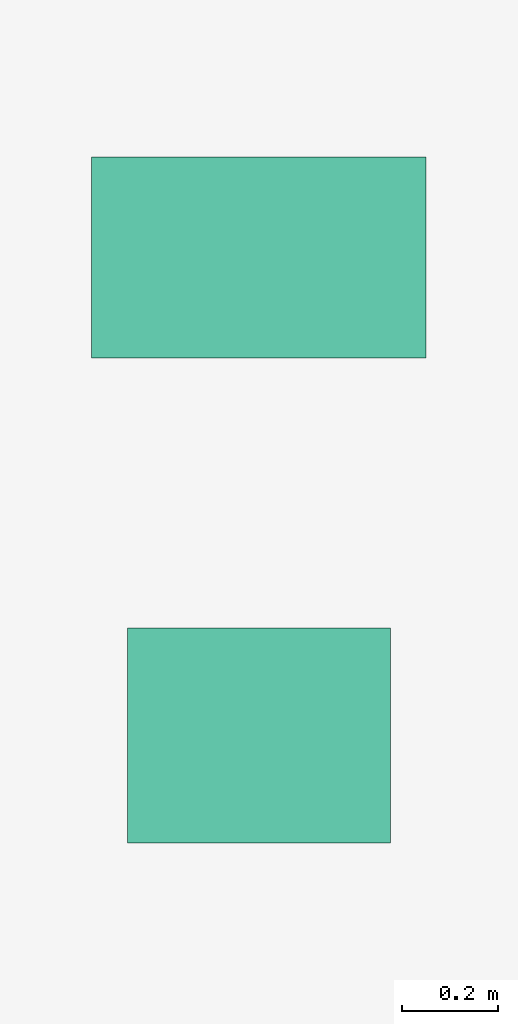
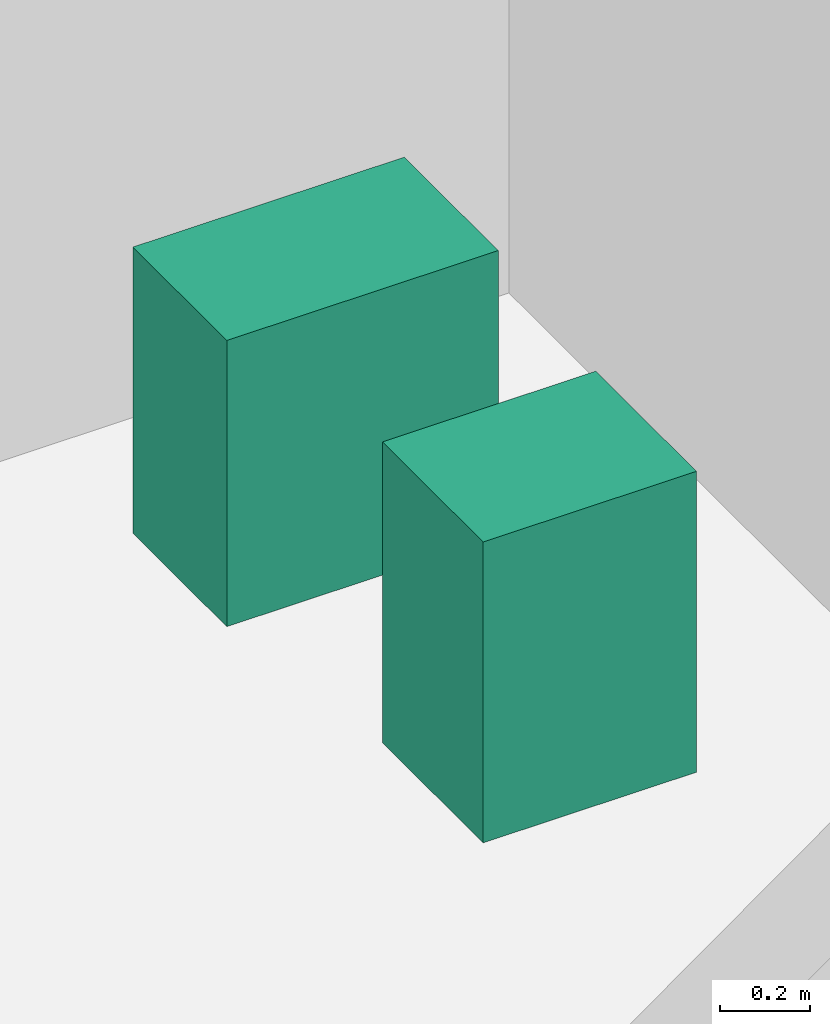
# One storey, part 27 of 27: 2 sanitary terminals.
"""IFC4 building model written with IfcOpenShell, lengths in metres."""

from ifc_helpers import new_model, si_unit, direction, frame, origin, origin_2d, place, context, subcontext, project, spatial, rectangle, extrude, source, transform, mapped, material, type_object, element, save


model = new_model("IFC4")

# Units and contexts
model_context = context("Model", 3, precision=1e-05, world=origin(), true_north=direction((0.0, 1.0)))
body_context = subcontext(model_context, "Body", "Model", "MODEL_VIEW")
ifc_project = project(units=[si_unit("LENGTHUNIT", "METRE"), si_unit("AREAUNIT", "SQUARE_METRE"), si_unit("VOLUMEUNIT", "CUBIC_METRE"), si_unit("PLANEANGLEUNIT", "RADIAN"), si_unit("MASSUNIT", "GRAM", prefix="KILO")], contexts=[model_context])

# Site, building, storey
site_placement = place(None, origin())
site = spatial("IfcSite", under=ifc_project, at=site_placement, CompositionType="ELEMENT")
building_placement = place(site_placement, origin())
building = spatial("IfcBuilding", under=site, at=building_placement, Name="Sumidabori Civic Tower", CompositionType="ELEMENT")
storey_placement = place(building_placement, frame((0.0, 0.0, 160.39990234375)))
storey = spatial("IfcBuildingStorey", under=building, at=storey_placement, Name="L41", CompositionType="ELEMENT", Elevation=160.39990234375)

# Sanitary terminals
ifc_material = material(Name="Vitreous Sanitary Porcelain")
sanitary_terminal_type_1 = type_object("IfcSanitaryTerminalType", Name="SN-WC-1", PredefinedType="TOILETPAN", material=ifc_material)
shared_shape_1 = source(origin(), body_context, "Body", "SweptSolid", [
    extrude(rectangle(XDim=0.699951171875, YDim=0.419921875, at=origin_2d()), origin(), (0.0, 0.0, 1.0), 0.780029296875),
])
sanitary_terminal_1_placement = place(storey_placement, frame((10.800048828125, 21.85009765625, 0.0), z_axis=(0.0, 0.0, 1.0), x_axis=(1.0, 0.0, 0.0)))
element("IfcSanitaryTerminal", 1, at=sanitary_terminal_1_placement, inside=storey, type_object=sanitary_terminal_type_1, Name="Accessible WC Pan L41", PredefinedType="TOILETPAN", context=body_context, shape_type="MappedRepresentation", body=[
    mapped(shared_shape_1, transform((0.0, 0.0, 0.0), x_axis=(1.0, 0.0, 0.0), y_axis=(0.0, 1.0, 0.0), z_axis=(0.0, 0.0, 1.0), scale=1.0)),
])
sanitary_terminal_type_2 = type_object("IfcSanitaryTerminalType", Name="SN-BAS-1", PredefinedType="WASHHANDBASIN", material=ifc_material)
shared_shape_2 = source(origin(), body_context, "Body", "SweptSolid", [
    extrude(rectangle(XDim=0.550048828125, YDim=0.449951171875, at=origin_2d()), origin(), (0.0, 0.0, 1.0), 0.820068359375),
])
sanitary_terminal_2_placement = place(storey_placement, frame((10.800048828125, 20.85009765625, 0.0), z_axis=(0.0, 0.0, 1.0), x_axis=(1.0, 0.0, 0.0)))
element("IfcSanitaryTerminal", 2, at=sanitary_terminal_2_placement, inside=storey, type_object=sanitary_terminal_type_2, Name="Accessible Basin L41", PredefinedType="WASHHANDBASIN", context=body_context, shape_type="MappedRepresentation", body=[
    mapped(shared_shape_2, transform((0.0, 0.0, 0.0), x_axis=(1.0, 0.0, 0.0), y_axis=(0.0, 1.0, 0.0), z_axis=(0.0, 0.0, 1.0), scale=1.0)),
])

save(model, "model.ifc")
